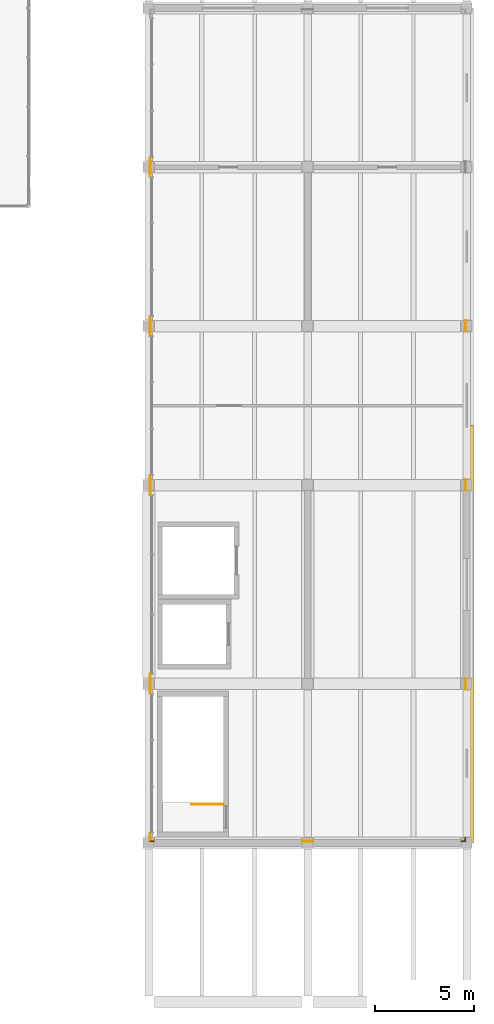
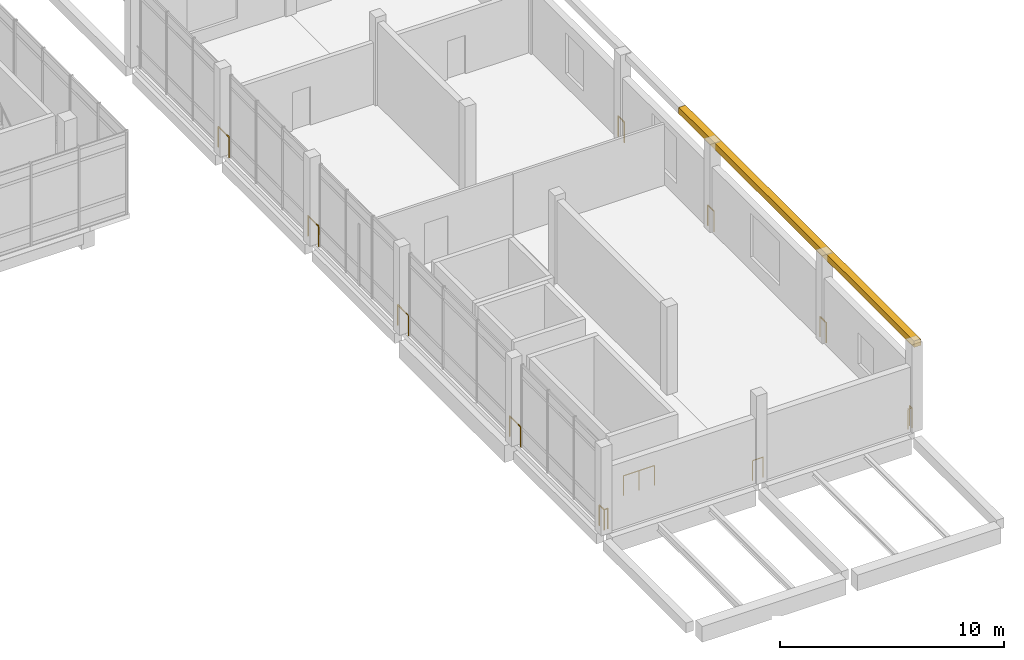
# One storey, part 26 of 28: 12 railings, 1 covering.
"""IFC4 building model written with IfcOpenShell, lengths in metres."""

from ifc_helpers import new_model, si_unit, direction, frame, origin, origin_2d, place, context, subcontext, project, spatial, polyline, circle, outline, extrude, material, layer, layer_set, type_object, element, save


model = new_model("IFC4")

# Units and contexts
model_context = context("Model", 3, precision=1e-05, world=origin(), true_north=direction((0.0, 1.0)))
body_context = subcontext(model_context, "Body", "Model", "MODEL_VIEW")
ifc_project = project(units=[si_unit("LENGTHUNIT", "METRE"), si_unit("AREAUNIT", "SQUARE_METRE"), si_unit("VOLUMEUNIT", "CUBIC_METRE"), si_unit("PLANEANGLEUNIT", "RADIAN"), si_unit("MASSUNIT", "GRAM", prefix="KILO")], contexts=[model_context])

# Site, building, storey
site_placement = place(None, origin())
site = spatial("IfcSite", under=ifc_project, at=site_placement, CompositionType="ELEMENT")
building_placement = place(site_placement, origin())
building = spatial("IfcBuilding", under=site, at=building_placement, Name="Pecanmere Concourse Central Library", CompositionType="ELEMENT")
storey_placement = place(building_placement, frame((0.0, 0.0, 20.10009765625)))
storey = spatial("IfcBuildingStorey", under=building, at=storey_placement, Name="L05", CompositionType="ELEMENT", Elevation=20.10009765625)

# Covering
ifc_material_1 = material(Name="Texas cream limestone ashlar masonry", Category="masonry")
ifc_layer = layer(ifc_material_1, 0.06005859375, Name="COV_CLAD_CORNICE")
ifc_layer_set = layer_set([ifc_layer], Name="Texas cream limestone ashlar masonry")
covering_type = type_object("IfcCoveringType", Name="COV_CLAD_CORNICE", PredefinedType="CLADDING", material=ifc_layer_set)
covering_placement = place(storey_placement, frame((0.0, 0.0, 4.39990234375)))
element("IfcCovering", 1, at=covering_placement, inside=storey, type_object=covering_type, Name="Classical Entablature Cornice 05", PredefinedType="CLADDING", context=body_context, shape_type="SweptSolid", body=[
    extrude(outline(polyline([(128.0, 56.0), (128.35009765625, 56.0), (128.35009765625, 77.0), (128.0, 77.0), (128.0, 56.0)])), origin(), (0.0, 0.0, 1.0), 0.35009765625),
])

# Railings
ifc_material_2 = material(Name="Architectural anodized bronze")
railing_type_1 = type_object("IfcRailingType", Name="RAIL_ATRIUM_BAL", PredefinedType="BALUSTRADE", material=ifc_material_2)
railing_1_placement = place(storey_placement, frame((112.070068359375, 56.070068359375, 0.0)))
element("IfcRailing", 2, at=railing_1_placement, inside=storey, type_object=railing_type_1, Name="Deck Edge Protective Balustrade L05-198", PredefinedType="BALUSTRADE", context=body_context, shape_type="SweptSolid", body=[
    extrude(circle(Radius=0.02392578125, at=origin_2d()), frame((0.0, 0.0, 1.09619140625), z_axis=(0.0, 1.0, 0.0), x_axis=(-1.0, 0.0, 0.0)), (0.0, 0.0, 1.0), 0.409912109375),
    extrude(circle(Radius=0.02099609375, at=origin_2d()), origin(), (0.0, 0.0, 1.0), 1.072021484375),
    extrude(circle(Radius=0.02099609375, at=origin_2d()), frame((0.0, 0.409912109375, 0.0)), (0.0, 0.0, 1.0), 1.072021484375),
])
for number, where, name in (
    (3, (112.070068359375, 63.52001953125, 0.0), "Deck Edge Protective Balustrade L05-199"),
    (4, (112.070068359375, 73.52001953125, 0.0), "Deck Edge Protective Balustrade L05-200"),
    (5, (112.070068359375, 81.52001953125, 0.0), "Deck Edge Protective Balustrade L05-201"),
    (6, (112.070068359375, 89.52001953125, 0.0), "Deck Edge Protective Balustrade L05-202"),
):
    element("IfcRailing", number, at=place(storey_placement, frame(where)), inside=storey, type_object=railing_type_1, Name=name, PredefinedType="BALUSTRADE", context=body_context, shape_type="SweptSolid", body=[
        extrude(circle(Radius=0.02392578125, at=origin_2d()), frame((0.0, 0.0, 1.09619140625), z_axis=(0.0, 1.0, 0.0), x_axis=(-1.0, 0.0, 0.0)), (0.0, 0.0, 1.0), 0.9599609375),
        extrude(circle(Radius=0.02099609375, at=origin_2d()), origin(), (0.0, 0.0, 1.0), 1.072021484375),
        extrude(circle(Radius=0.02099609375, at=origin_2d()), frame((0.0, 0.9599609375, 0.0)), (0.0, 0.0, 1.0), 1.072021484375),
    ])
for number, where, name in (
    (7, (127.929931640625, 82.27001953125, 0.0), "Deck Edge Protective Balustrade L05-207"),
    (8, (127.929931640625, 74.27001953125, 0.0), "Deck Edge Protective Balustrade L05-208"),
    (9, (127.929931640625, 64.27001953125, 0.0), "Deck Edge Protective Balustrade L05-209"),
):
    element("IfcRailing", number, at=place(storey_placement, frame(where)), inside=storey, type_object=railing_type_1, Name=name, PredefinedType="BALUSTRADE", context=body_context, shape_type="SweptSolid", body=[
        extrude(circle(Radius=0.02392578125, at=origin_2d()), frame((0.0, 0.0, 1.09619140625), z_axis=(0.0, -1.0, 0.0), x_axis=(1.0, 0.0, 0.0)), (0.0, 0.0, 1.0), 0.5400390625),
        extrude(circle(Radius=0.02099609375, at=origin_2d()), origin(), (0.0, 0.0, 1.0), 1.072021484375),
        extrude(circle(Radius=0.02099609375, at=origin_2d()), frame((0.0, -0.5400390625, 0.0)), (0.0, 0.0, 1.0), 1.072021484375),
    ])
railing_2_placement = place(storey_placement, frame((127.929931640625, 56.27001953125, 0.0)))
element("IfcRailing", 10, at=railing_2_placement, inside=storey, type_object=railing_type_1, Name="Deck Edge Protective Balustrade L05-210", PredefinedType="BALUSTRADE", context=body_context, shape_type="SweptSolid", body=[
    extrude(circle(Radius=0.02392578125, at=origin_2d()), frame((0.0, 0.0, 1.09619140625), z_axis=(0.0, -1.0, 0.0), x_axis=(1.0, 0.0, 0.0)), (0.0, 0.0, 1.0), 0.19970703125),
    extrude(circle(Radius=0.02392578125, at=origin_2d()), frame((0.0, -0.19970703125, 1.09619140625), z_axis=(-1.0, 0.0, 0.0), x_axis=(0.0, -1.0, 0.0)), (0.0, 0.0, 1.0), 0.199951171875),
    extrude(circle(Radius=0.02099609375, at=origin_2d()), origin(), (0.0, 0.0, 1.0), 1.072021484375),
    extrude(circle(Radius=0.02099609375, at=origin_2d()), frame((0.0, -0.19970703125, 0.0)), (0.0, 0.0, 1.0), 1.072021484375),
    extrude(circle(Radius=0.02099609375, at=origin_2d()), frame((-0.199951171875, -0.19970703125, 0.0)), (0.0, 0.0, 1.0), 1.072021484375),
])
railing_3_placement = place(storey_placement, frame((120.27001953125, 56.070068359375, 0.0)))
element("IfcRailing", 11, at=railing_3_placement, inside=storey, type_object=railing_type_1, Name="Deck Edge Protective Balustrade L05-211", PredefinedType="BALUSTRADE", context=body_context, shape_type="SweptSolid", body=[
    extrude(circle(Radius=0.02392578125, at=origin_2d()), frame((0.0, 0.0, 1.09619140625), z_axis=(-1.0, 0.0, 0.0), x_axis=(0.0, -1.0, 0.0)), (0.0, 0.0, 1.0), 0.5400390625),
    extrude(circle(Radius=0.02099609375, at=origin_2d()), origin(), (0.0, 0.0, 1.0), 1.072021484375),
    extrude(circle(Radius=0.02099609375, at=origin_2d()), frame((-0.5400390625, 0.0, 0.0)), (0.0, 0.0, 1.0), 1.072021484375),
])
railing_4_placement = place(storey_placement, frame((112.27001953125, 56.070068359375, 0.0)))
element("IfcRailing", 12, at=railing_4_placement, inside=storey, type_object=railing_type_1, Name="Deck Edge Protective Balustrade L05-212", PredefinedType="BALUSTRADE", context=body_context, shape_type="SweptSolid", body=[
    extrude(circle(Radius=0.02392578125, at=origin_2d()), frame((0.0, 0.0, 1.09619140625), z_axis=(-1.0, 0.0, 0.0), x_axis=(0.0, -1.0, 0.0)), (0.0, 0.0, 1.0), 0.199951171875),
    extrude(circle(Radius=0.02099609375, at=origin_2d()), origin(), (0.0, 0.0, 1.0), 1.072021484375),
    extrude(circle(Radius=0.02099609375, at=origin_2d()), frame((-0.199951171875, 0.0, 0.0)), (0.0, 0.0, 1.0), 1.072021484375),
])
ifc_material_3 = material(Name="Painted architectural steel ASTM A36", Category="steel")
railing_type_2 = type_object("IfcRailingType", Name="RAIL_STAIR_GUARD", PredefinedType="GUARDRAIL", material=ifc_material_3)
railing_5_placement = place(storey_placement, frame((115.760009765625, 57.949951171875, 0.0)))
element("IfcRailing", 13, at=railing_5_placement, inside=storey, type_object=railing_type_2, Name="L05 ST-05 Top Well Guard 1", PredefinedType="GUARDRAIL", context=body_context, shape_type="SweptSolid", body=[
    extrude(circle(Radius=0.02392578125, at=origin_2d()), frame((0.0, 0.0, 1.076171875), z_axis=(-1.0, 0.0, 0.0), x_axis=(0.0, -1.0, 0.0)), (0.0, 0.0, 1.0), 1.610107421875),
    extrude(circle(Radius=0.02099609375, at=origin_2d()), origin(), (0.0, 0.0, 1.0), 1.052001953125),
    extrude(circle(Radius=0.02099609375, at=origin_2d()), frame((-0.80517578125, 0.0, 0.0)), (0.0, 0.0, 1.0), 1.052001953125),
    extrude(circle(Radius=0.02099609375, at=origin_2d()), frame((-1.610107421875, 0.0, 0.0)), (0.0, 0.0, 1.0), 1.052001953125),
])

save(model, "model.ifc")
